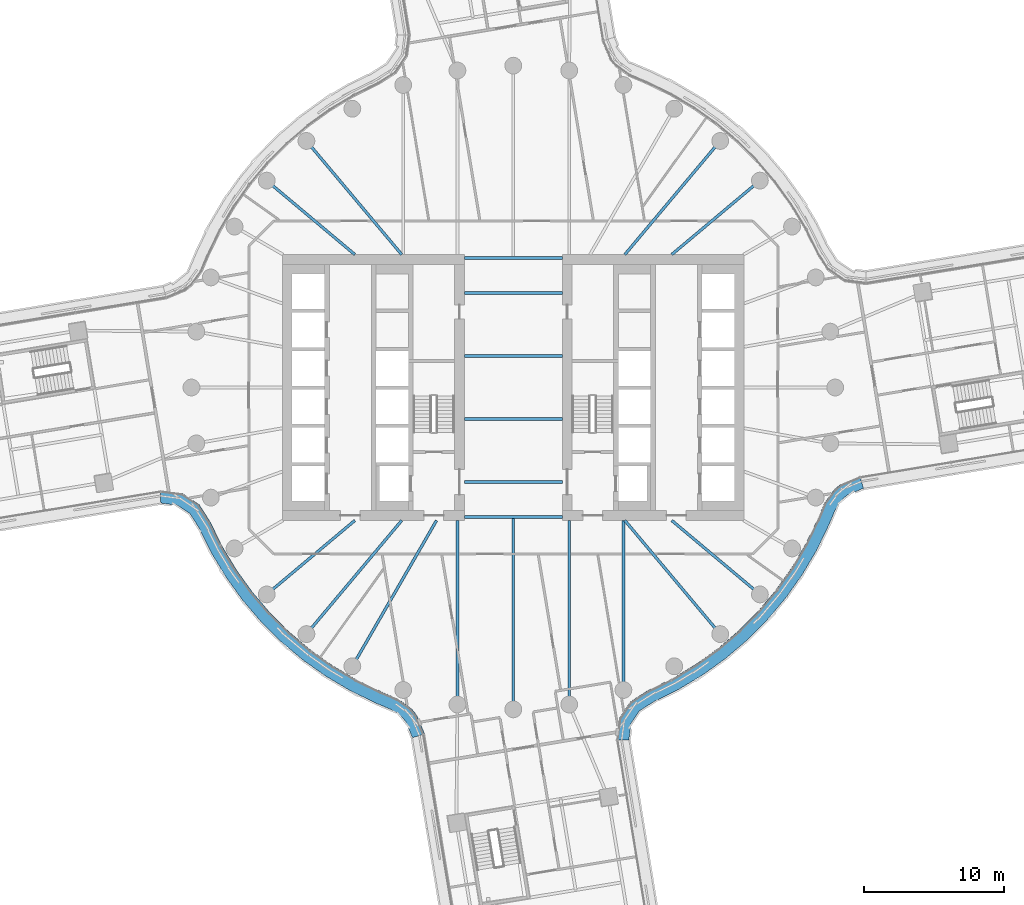
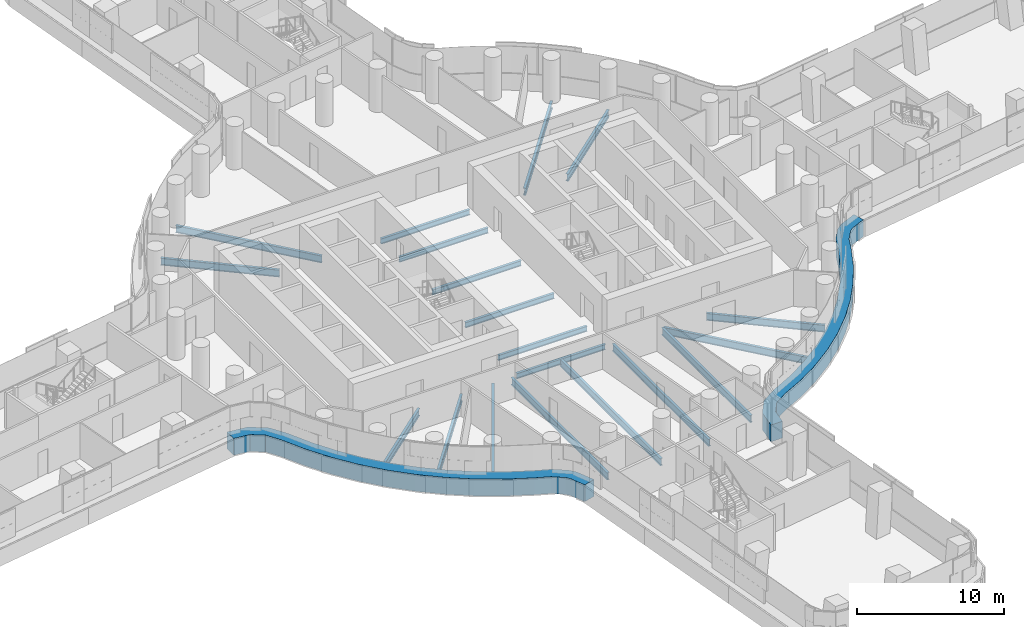
# One storey, part 10 of 32: 19 beams, 2 members, 2 elements without a shape of their own.
"""IFC4 building model written with IfcOpenShell, lengths in metres."""

from ifc_helpers import new_model, si_unit, direction, frame, origin, origin_2d, place, context, subcontext, project, spatial, polyline, i_section, outline, extrude, material, layer, layer_set, material_profile, profile_set, type_object, element, aggregate, save


model = new_model("IFC4")

# Units and contexts
model_context = context("Model", 3, precision=1e-05, world=origin(), true_north=direction((0.0, 1.0)))
body_context = subcontext(model_context, "Body", "Model", "MODEL_VIEW")
ifc_project = project(units=[si_unit("LENGTHUNIT", "METRE"), si_unit("AREAUNIT", "SQUARE_METRE"), si_unit("VOLUMEUNIT", "CUBIC_METRE"), si_unit("PLANEANGLEUNIT", "RADIAN"), si_unit("MASSUNIT", "GRAM", prefix="KILO")], contexts=[model_context])

# Site, building, storey
site_placement = place(None, origin())
site = spatial("IfcSite", under=ifc_project, at=site_placement, CompositionType="ELEMENT")
building_placement = place(site_placement, origin())
building = spatial("IfcBuilding", under=site, at=building_placement, Name="Tamarind Cross Interchange Tower", CompositionType="ELEMENT")
storey_placement = place(building_placement, frame((0.0, 0.0, 67.75)))
storey = spatial("IfcBuildingStorey", under=building, at=storey_placement, Name="L15", CompositionType="ELEMENT", Elevation=67.75)

# Beams
ifc_material_1 = material(Name="Steel Q355B", Category="steel")
ifc_material_profile_1 = material_profile(ifc_material_1, i_section(OverallWidth=0.198974609375, OverallDepth=0.446044921875, WebThickness=0.008056640625, FlangeThickness=0.011962890625, FilletRadius=0.012939453125, at=origin_2d()), Name="HN 446x199x8x12")
ifc_profile_set_1 = profile_set([ifc_material_profile_1], Name="Steel Q355B")
beam_type_1 = type_object("IfcBeamType", Name="Composite beam HN 446x199x8x12 Q355B", PredefinedType="BEAM", material=ifc_profile_set_1)
for number, where, z_axis, x_axis, name in (
    (1, (-3.5, -2.25, -0.363037109375), (1.0, 0.0, 0.0), (0.0, 1.0, 0.0), "Beam G-2.25"),
    (2, (-3.5, -6.75, -0.363037109375), (1.0, 0.0, 0.0), (0.0, 1.0, 0.0), "Beam G-6.75"),
    (3, (-3.5, -9.25, -0.363037109375), (1.0, 0.0, 0.0), (0.0, 1.0, 0.0), "Beam G-9.25"),
    (4, (-3.5, 2.25, -0.363037109375), (1.0, 0.0, 0.0), (0.0, 1.0, 0.0), "Beam G2.25"),
    (5, (-3.5, 6.75, -0.363037109375), (1.0, 0.0, 0.0), (0.0, 1.0, 0.0), "Beam G6.75"),
    (6, (-3.5, 9.25, -0.363037109375), (1.0, 0.0, 0.0), (0.0, 1.0, 0.0), "Beam G9.25"),
):
    element("IfcBeam", number, at=place(storey_placement, frame(where, z_axis=z_axis, x_axis=x_axis)), inside=storey, type_object=beam_type_1, Name=name, PredefinedType="BEAM", context=body_context, shape_type="SweptSolid", body=[
        extrude(i_section(OverallWidth=0.198974609375, OverallDepth=0.446044921875, WebThickness=0.008056640625, FlangeThickness=0.011962890625, FilletRadius=0.012939453125, at=origin_2d()), origin(), (0.0, 0.0, 1.0), 7.0),
    ])
ifc_material_profile_2 = material_profile(ifc_material_1, i_section(OverallWidth=0.198974609375, OverallDepth=0.595947265625, WebThickness=0.010009765625, FlangeThickness=0.014892578125, FilletRadius=0.012939453125, at=origin_2d()), Name="HN 596x199x10x15")
ifc_profile_set_2 = profile_set([ifc_material_profile_2], Name="Steel Q355B")
beam_type_2 = type_object("IfcBeamType", Name="Composite beam HN 596x199x10x15 Q355B", PredefinedType="BEAM", material=ifc_profile_set_2)
beam_1_placement = place(storey_placement, frame((17.619140625, 14.7841796875, -0.43798828125), z_axis=(-0.766040580814, -0.642792212574, 0.0), x_axis=(0.642792212574, -0.766040580814, 0.0)))
element("IfcBeam", 7, at=beam_1_placement, inside=storey, type_object=beam_type_2, Name="Beam HH04", PredefinedType="BEAM", context=body_context, shape_type="SweptSolid", body=[
    extrude(i_section(OverallWidth=0.198974609375, OverallDepth=0.595947265625, WebThickness=0.010009765625, FlangeThickness=0.014892578125, FilletRadius=0.012939453125, at=origin_2d()), origin(), (0.0, 0.0, 1.0), 8.220703125),
])
for number, where, z_axis, x_axis, name in (
    (8, (14.7841796875, 17.619140625, -0.43798828125), (-0.642786293979, -0.766045547127, 0.0), (0.766045547127, -0.642786293979, 0.0), "Beam HH05"),
    (9, (-14.7841796875, 17.619140625, -0.43798828125), (0.642786293979, -0.766045547127, 0.0), (0.766045547127, 0.642786293979, 0.0), "Beam HH13"),
):
    element("IfcBeam", number, at=place(storey_placement, frame(where, z_axis=z_axis, x_axis=x_axis)), inside=storey, type_object=beam_type_2, Name=name, PredefinedType="BEAM", context=body_context, shape_type="SweptSolid", body=[
        extrude(i_section(OverallWidth=0.198974609375, OverallDepth=0.595947265625, WebThickness=0.010009765625, FlangeThickness=0.014892578125, FilletRadius=0.012939453125, at=origin_2d()), origin(), (0.0, 0.0, 1.0), 10.598876953125),
    ])
for number, where, z_axis, x_axis, name in (
    (10, (-17.619140625, 14.7841796875, -0.43798828125), (0.766040580814, -0.642792212574, 0.0), (0.642792212574, 0.766040580814, 0.0), "Beam HH14"),
    (11, (-17.619140625, -14.7841796875, -0.43798828125), (0.766040580814, 0.642792212574, 0.0), (-0.642792212574, 0.766040580814, 0.0), "Beam HH22"),
):
    element("IfcBeam", number, at=place(storey_placement, frame(where, z_axis=z_axis, x_axis=x_axis)), inside=storey, type_object=beam_type_2, Name=name, PredefinedType="BEAM", context=body_context, shape_type="SweptSolid", body=[
        extrude(i_section(OverallWidth=0.198974609375, OverallDepth=0.595947265625, WebThickness=0.010009765625, FlangeThickness=0.014892578125, FilletRadius=0.012939453125, at=origin_2d()), origin(), (0.0, 0.0, 1.0), 8.220703125),
    ])
beam_2_placement = place(storey_placement, frame((-14.7841796875, -17.619140625, -0.43798828125), z_axis=(0.642786293979, 0.766045547127, 0.0), x_axis=(-0.766045547127, 0.642786293979, 0.0)))
element("IfcBeam", 12, at=beam_2_placement, inside=storey, type_object=beam_type_2, Name="Beam HH23", PredefinedType="BEAM", context=body_context, shape_type="SweptSolid", body=[
    extrude(i_section(OverallWidth=0.198974609375, OverallDepth=0.595947265625, WebThickness=0.010009765625, FlangeThickness=0.014892578125, FilletRadius=0.012939453125, at=origin_2d()), origin(), (0.0, 0.0, 1.0), 10.598876953125),
])
beam_3_placement = place(storey_placement, frame((-11.5, -19.918701171875, -0.43798828125), z_axis=(0.499993565836, 0.866029118519, 0.0), x_axis=(-0.866029118519, 0.499993565836, 0.0)))
element("IfcBeam", 13, at=beam_3_placement, inside=storey, type_object=beam_type_2, Name="Beam HH24", PredefinedType="BEAM", context=body_context, shape_type="SweptSolid", body=[
    extrude(i_section(OverallWidth=0.198974609375, OverallDepth=0.595947265625, WebThickness=0.010009765625, FlangeThickness=0.014892578125, FilletRadius=0.012939453125, at=origin_2d()), origin(), (0.0, 0.0, 1.0), 12.030517578125),
])
beam_4_placement = place(storey_placement, frame((-3.993896484375, -22.650634765625, -0.43798828125), z_axis=(0.0, 1.0, 0.0), x_axis=(-1.0, 0.0, 0.0)))
element("IfcBeam", 14, at=beam_4_placement, inside=storey, type_object=beam_type_2, Name="Beam HH26", PredefinedType="BEAM", context=body_context, shape_type="SweptSolid", body=[
    extrude(i_section(OverallWidth=0.198974609375, OverallDepth=0.595947265625, WebThickness=0.010009765625, FlangeThickness=0.014892578125, FilletRadius=0.012939453125, at=origin_2d()), origin(), (0.0, 0.0, 1.0), 13.150634765625),
])
beam_5_placement = place(storey_placement, frame((0.0, -23.0, -0.43798828125), z_axis=(0.0, 1.0, 0.0), x_axis=(-1.0, 0.0, 0.0)))
element("IfcBeam", 15, at=beam_5_placement, inside=storey, type_object=beam_type_2, Name="Beam HH27", PredefinedType="BEAM", context=body_context, shape_type="SweptSolid", body=[
    extrude(i_section(OverallWidth=0.198974609375, OverallDepth=0.595947265625, WebThickness=0.010009765625, FlangeThickness=0.014892578125, FilletRadius=0.012939453125, at=origin_2d()), origin(), (0.0, 0.0, 1.0), 13.75),
])
beam_6_placement = place(storey_placement, frame((3.993896484375, -22.650634765625, -0.43798828125), z_axis=(0.0, 1.0, 0.0), x_axis=(-1.0, 0.0, 0.0)))
element("IfcBeam", 16, at=beam_6_placement, inside=storey, type_object=beam_type_2, Name="Beam HH28", PredefinedType="BEAM", context=body_context, shape_type="SweptSolid", body=[
    extrude(i_section(OverallWidth=0.198974609375, OverallDepth=0.595947265625, WebThickness=0.010009765625, FlangeThickness=0.014892578125, FilletRadius=0.012939453125, at=origin_2d()), origin(), (0.0, 0.0, 1.0), 13.150634765625),
])
beam_7_placement = place(storey_placement, frame((7.866455078125, -21.613037109375, -0.43798828125), z_axis=(0.0, 1.0, 0.0), x_axis=(-1.0, 0.0, 0.0)))
element("IfcBeam", 17, at=beam_7_placement, inside=storey, type_object=beam_type_2, Name="Beam HH29", PredefinedType="BEAM", context=body_context, shape_type="SweptSolid", body=[
    extrude(i_section(OverallWidth=0.198974609375, OverallDepth=0.595947265625, WebThickness=0.010009765625, FlangeThickness=0.014892578125, FilletRadius=0.012939453125, at=origin_2d()), origin(), (0.0, 0.0, 1.0), 12.113037109375),
])
beam_8_placement = place(storey_placement, frame((14.7841796875, -17.619140625, -0.43798828125), z_axis=(-0.642786293979, 0.766045547127, 0.0), x_axis=(-0.766045547127, -0.642786293979, 0.0)))
element("IfcBeam", 18, at=beam_8_placement, inside=storey, type_object=beam_type_2, Name="Beam HH31", PredefinedType="BEAM", context=body_context, shape_type="SweptSolid", body=[
    extrude(i_section(OverallWidth=0.198974609375, OverallDepth=0.595947265625, WebThickness=0.010009765625, FlangeThickness=0.014892578125, FilletRadius=0.012939453125, at=origin_2d()), origin(), (0.0, 0.0, 1.0), 10.598876953125),
])
beam_9_placement = place(storey_placement, frame((17.619140625, -14.7841796875, -0.43798828125), z_axis=(-0.766040580814, 0.642792212574, 0.0), x_axis=(-0.642792212574, -0.766040580814, 0.0)))
element("IfcBeam", 19, at=beam_9_placement, inside=storey, type_object=beam_type_2, Name="Beam HH32", PredefinedType="BEAM", context=body_context, shape_type="SweptSolid", body=[
    extrude(i_section(OverallWidth=0.198974609375, OverallDepth=0.595947265625, WebThickness=0.010009765625, FlangeThickness=0.014892578125, FilletRadius=0.012939453125, at=origin_2d()), origin(), (0.0, 0.0, 1.0), 8.220703125),
])

# Curtain wall, member
ifc_material_2 = material(Name="Aluminium 6063-T6", Category="aluminium")
ifc_layer = layer(ifc_material_2, 0.159912109375)
ifc_layer_set = layer_set([ifc_layer], Name="Aluminium 6063-T6")
curtain_wall_type = type_object("IfcCurtainWallType", Name="Office curtain wall, 9.0 m bays", PredefinedType="NOTDEFINED", material=ifc_layer_set)
curtain_wall_1_placement = place(storey_placement, origin())
curtain_wall_1 = element("IfcCurtainWall", 20, at=curtain_wall_1_placement, inside=storey, type_object=curtain_wall_type, Name="CWS-L15-06", PredefinedType="NOTDEFINED")
ifc_material_3 = material(Name="Aluminium and insulated spandrel panel", Category="aluminium")
member_type = type_object("IfcMemberType", Name="Floor-edge blade transom", PredefinedType="USERDEFINED", material=ifc_material_3)
member_1_placement = place(storey_placement, origin())
member_1 = element("IfcMember", 21, at=member_1_placement, type_object=member_type, Name="CWT-L15-06", ObjectType="TRANSOM", PredefinedType="USERDEFINED", context=body_context, shape_type="SweptSolid", body=[
    extrude(outline(polyline([(-25.204345703125, -7.347900390625), (-23.6572265625, -7.553955078125), (-22.442138671875, -8.3720703125), (-21.67138671875, -9.586181640625), (-20.791015625, -11.367431640625), (-19.78125, -13.045654296875), (-18.636474609375, -14.634521484375), (-17.3642578125, -16.12353515625), (-15.973388671875, -17.50244140625), (-14.4736328125, -18.76171875), (-12.874755859375, -19.892822265625), (-11.188232421875, -20.88818359375), (-9.420654296875, -21.74267578125), (-8.26025390625, -22.23193359375), (-7.275634765625, -22.95068359375), (-6.907470703125, -23.40478515625), (-6.3330078125, -24.766845703125), (-7.20361328125, -25.0185546875), (-7.68701171875, -23.872314453125), (-7.901123046875, -23.608642578125), (-8.706298828125, -23.0205078125), (-9.791748046875, -22.56298828125), (-11.613525390625, -21.68212890625), (-13.3642578125, -20.64892578125), (-15.023681640625, -19.474853515625), (-16.580810546875, -18.167724609375), (-18.0244140625, -16.736572265625), (-19.344970703125, -15.19091796875), (-20.533203125, -13.54150390625), (-21.581298828125, -11.799560546875), (-22.456787109375, -10.028076171875), (-23.100830078125, -9.013427734375), (-23.98486328125, -8.418212890625), (-25.1904296875, -8.2578125), (-25.204345703125, -7.347900390625)])), origin(), (0.0, 0.0, 1.0), 1.39990234375),
])
aggregate(curtain_wall_1, [member_1])

curtain_wall_2_placement = place(storey_placement, origin())
curtain_wall_2 = element("IfcCurtainWall", 22, at=curtain_wall_2_placement, inside=storey, type_object=curtain_wall_type, Name="CWS-L15-10", PredefinedType="NOTDEFINED")
member_2_placement = place(storey_placement, origin())
member_2 = element("IfcMember", 23, at=member_2_placement, type_object=member_type, Name="CWT-L15-10", ObjectType="TRANSOM", PredefinedType="USERDEFINED", context=body_context, shape_type="SweptSolid", body=[
    extrude(outline(polyline([(7.347900390625, -25.204345703125), (7.553955078125, -23.6572265625), (8.3720703125, -22.442138671875), (9.586181640625, -21.67138671875), (11.367431640625, -20.791015625), (13.045654296875, -19.78125), (14.634521484375, -18.636474609375), (16.12353515625, -17.3642578125), (17.50244140625, -15.973388671875), (18.76171875, -14.4736328125), (19.892822265625, -12.874755859375), (20.88818359375, -11.188232421875), (21.74267578125, -9.420654296875), (22.23193359375, -8.26025390625), (22.95068359375, -7.275634765625), (23.40478515625, -6.907470703125), (24.766845703125, -6.3330078125), (25.0185546875, -7.20361328125), (23.872314453125, -7.68701171875), (23.608642578125, -7.901123046875), (23.0205078125, -8.706298828125), (22.56298828125, -9.791748046875), (21.68212890625, -11.613525390625), (20.64892578125, -13.3642578125), (19.474853515625, -15.023681640625), (18.167724609375, -16.580810546875), (16.736572265625, -18.0244140625), (15.19091796875, -19.344970703125), (13.54150390625, -20.533203125), (11.799560546875, -21.581298828125), (10.028076171875, -22.456787109375), (9.013427734375, -23.100830078125), (8.418212890625, -23.98486328125), (8.2578125, -25.1904296875), (7.347900390625, -25.204345703125)])), origin(), (0.0, 0.0, 1.0), 1.39990234375),
])
aggregate(curtain_wall_2, [member_2])

save(model, "model.ifc")
